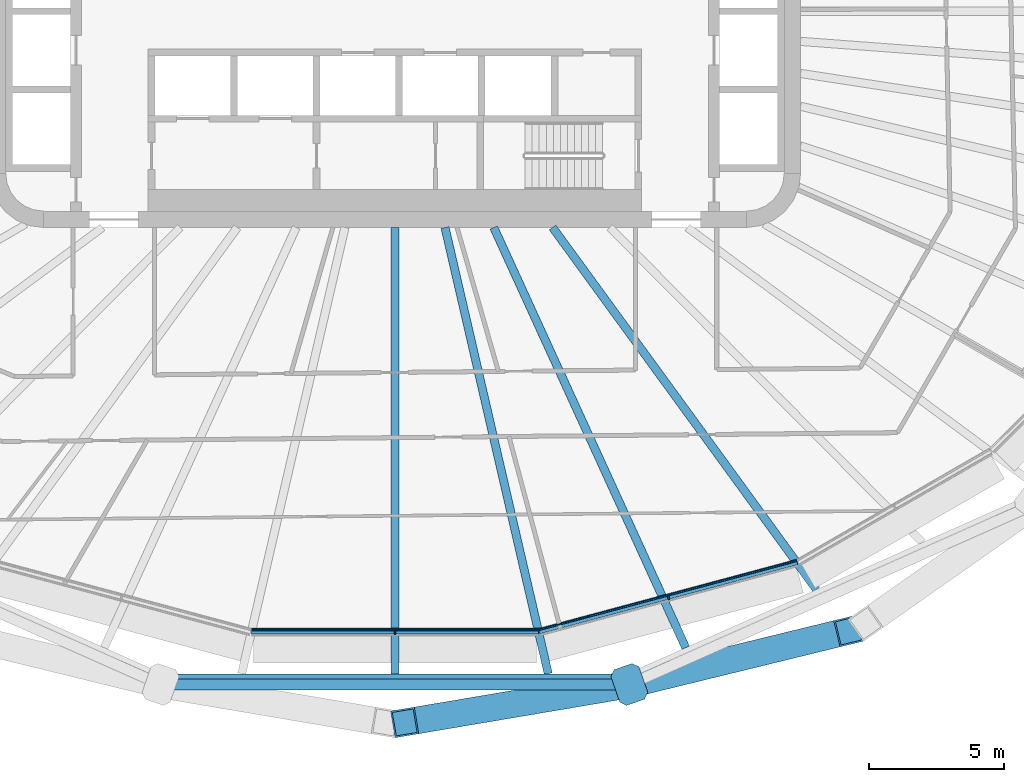
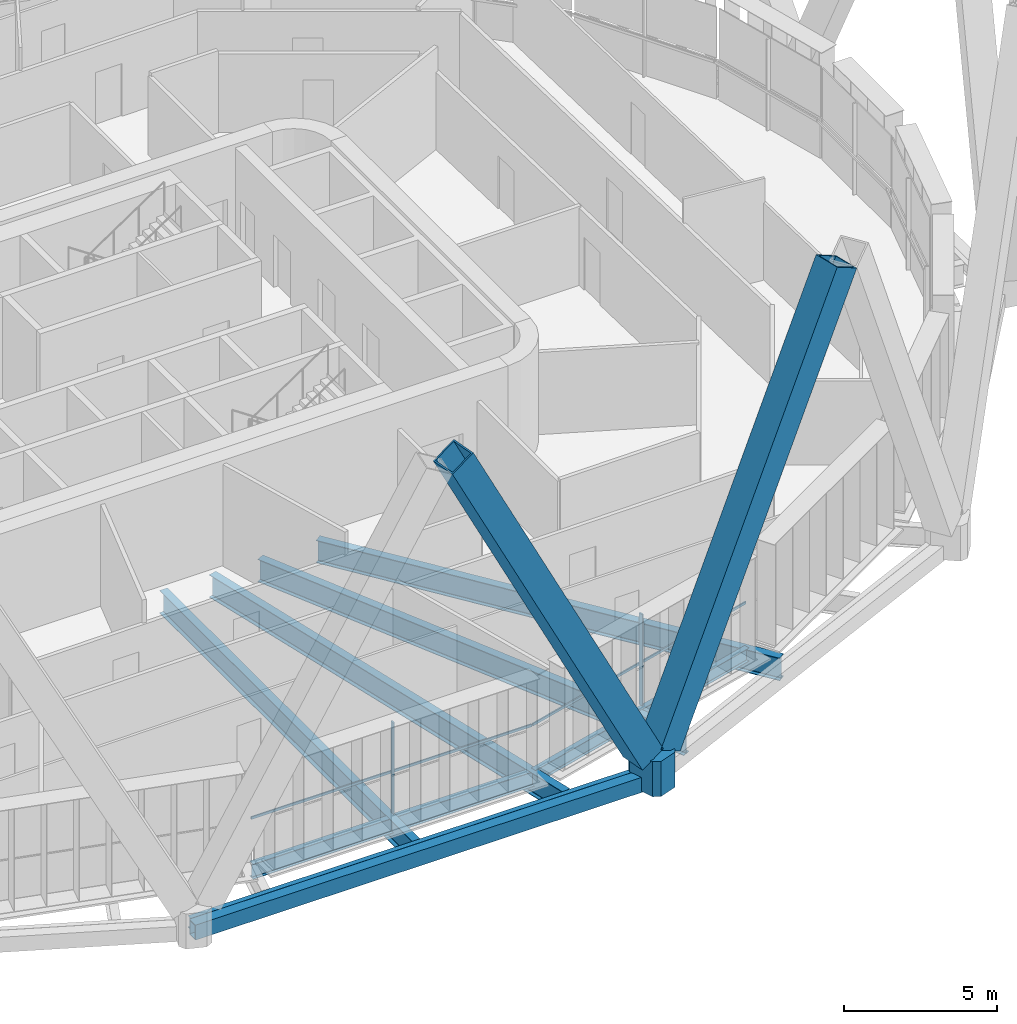
# One storey, part 4 of 25: 8 beams, 7 members, 2 elements without a shape of their own.
"""IFC4 building model written with IfcOpenShell, lengths in metres."""

import ifcopenshell
import ifcopenshell.guid

model = None  # the IFC model being written
_history = None  # IfcOwnerHistory: only IFC2X3 demands one
_inside = {}  # id of a spatial element -> (the spatial element, [elements in it])
_under = {}  # id of a project, library or spatial element -> (it, [spatial elements below it])
_declared = {}  # id of a project -> (the project, [libraries it declares])
_typed = {}  # id of a type object -> (the type object, [elements of that type])
_made_of = {}  # id of a material, layer set ... -> (it, [elements and type objects made of it])


def new_model(schema):
    """Start an empty IFC model of exactly this schema.

    Asked for "IFC4X3", IfcOpenShell would pick the latest addendum, in which some entities
    have other attributes; the version numbers below select the first issue.
    IFC2X3 requires an IfcOwnerHistory on every rooted entity: one is made here for all.
    """
    global model, _history
    if schema == "IFC4X3":
        model = ifcopenshell.file(schema_version=(4, 3, 0, 0))
    else:
        model = ifcopenshell.file(schema=schema)
    _inside.clear()
    _under.clear()
    _declared.clear()
    _typed.clear()
    _made_of.clear()
    _history = None
    if model.schema == "IFC2X3":
        org = make("IfcOrganization", Name="unknown")
        user = make(
            "IfcPersonAndOrganization",
            ThePerson=make("IfcPerson", FamilyName="unknown"),
            TheOrganization=org,
        )
        app = make(
            "IfcApplication",
            ApplicationDeveloper=org,
            Version="unknown",
            ApplicationFullName="unknown",
            ApplicationIdentifier="unknown",
        )
        _history = make(
            "IfcOwnerHistory",
            OwningUser=user,
            OwningApplication=app,
            ChangeAction="ADDED",
            CreationDate=0,
        )
    return model


def make(cls, **values):
    """One entity of the class cls with the attributes given. An attribute that is None is left unset."""
    return model.create_entity(
        cls, **{name: value for name, value in values.items() if value is not None}
    )


def rooted(cls, **values):
    """An entity with a GlobalId (a new one), such as an element, a storey or a relation."""
    return make(cls, GlobalId=ifcopenshell.guid.new(), OwnerHistory=_history, **values)


def si_unit(unit_type, name, prefix=None):
    """IfcSIUnit, for example si_unit("LENGTHUNIT", "METRE", prefix="MILLI")."""
    return make("IfcSIUnit", UnitType=unit_type, Prefix=prefix, Name=name)


def assignment(units):
    """IfcUnitAssignment: the units of a project."""
    return None if units is None else make("IfcUnitAssignment", Units=units)


def point(xyz):
    """IfcCartesianPoint."""
    return None if xyz is None else make("IfcCartesianPoint", Coordinates=xyz)


def direction(xyz):
    """IfcDirection."""
    return None if xyz is None else make("IfcDirection", DirectionRatios=xyz)


def frame(location, z_axis=None, x_axis=None):
    """IfcAxis2Placement3D, a coordinate frame: its origin and axes. An axis left out is left unset."""
    return make(
        "IfcAxis2Placement3D",
        Location=point(location),
        Axis=direction(z_axis),
        RefDirection=direction(x_axis),
    )


def frame_2d(location, x_axis=None):
    """IfcAxis2Placement2D, a coordinate frame in the plane: its origin and x axis."""
    return make(
        "IfcAxis2Placement2D", Location=point(location), RefDirection=direction(x_axis)
    )


def origin():
    """The frame at (0, 0, 0) with its axes left unset."""
    return frame((0.0, 0.0, 0.0))


def origin_2d():
    """The frame at (0, 0) in the plane with its x axis left unset."""
    return frame_2d((0.0, 0.0))


def place(relative_to, where):
    """IfcLocalPlacement: puts the frame where relative to a parent placement (None: the world)."""
    return make(
        "IfcLocalPlacement", PlacementRelTo=relative_to, RelativePlacement=where
    )


def context(
    kind, dimensions, precision=None, world=None, true_north=None, identifier=None
):
    """IfcGeometricRepresentationContext, for example the 3D "Model" context."""
    return make(
        "IfcGeometricRepresentationContext",
        ContextIdentifier=identifier,
        ContextType=kind,
        CoordinateSpaceDimension=dimensions,
        Precision=precision,
        WorldCoordinateSystem=world,
        TrueNorth=true_north,
    )


def subcontext(parent, identifier, kind, view, scale=None):
    """IfcGeometricRepresentationSubContext, for example "Body" below "Model"."""
    return make(
        "IfcGeometricRepresentationSubContext",
        ContextIdentifier=identifier,
        ContextType=kind,
        ParentContext=parent,
        TargetScale=scale,
        TargetView=view,
    )


def project(units=None, contexts=None):
    """IfcProject with its units and contexts."""
    return rooted(
        "IfcProject",
        Name="project",
        RepresentationContexts=contexts,
        UnitsInContext=assignment(units),
    )


def spatial(cls, under=None, at=None, **own):
    """A site, building, storey or space (cls), placed at a placement, below another one or the project."""
    s = rooted(cls, ObjectPlacement=at, **own)
    if under is not None:
        _under.setdefault(under.id(), (under, []))[1].append(s)
    return s


def polyline(points):
    """IfcPolyline through the points."""
    return make("IfcPolyline", Points=[point(p) for p in points])


def profile(cls, at=None, kind="AREA", **sizes):
    """A parametric profile (cls). Its sizes go by their IFC names, for example OverallWidth=200.0."""
    return make(cls, ProfileType=kind, Position=at, **sizes)


def rectangle(**sizes):
    """IfcRectangleProfileDef."""
    return profile("IfcRectangleProfileDef", **sizes)


def hollow_rectangle(**sizes):
    """IfcRectangleHollowProfileDef."""
    return profile("IfcRectangleHollowProfileDef", **sizes)


def i_section(**sizes):
    """IfcIShapeProfileDef."""
    return profile("IfcIShapeProfileDef", **sizes)


def outline(outer, holes=None, kind="AREA"):
    """IfcArbitraryClosedProfileDef: a profile drawn as a closed curve; with holes, ...WithVoids."""
    if holes is None:
        return make("IfcArbitraryClosedProfileDef", ProfileType=kind, OuterCurve=outer)
    return make(
        "IfcArbitraryProfileDefWithVoids",
        ProfileType=kind,
        OuterCurve=outer,
        InnerCurves=holes,
    )


def extrude(swept, where, along, depth):
    """IfcExtrudedAreaSolid: the profile swept, set in the frame where, extruded along a direction by depth."""
    return make(
        "IfcExtrudedAreaSolid",
        SweptArea=swept,
        Position=where,
        ExtrudedDirection=direction(along),
        Depth=depth,
    )


def shape(context_of_items, identifier, shape_type, items):
    """IfcShapeRepresentation: the items that make up one representation, for example the "Body"."""
    return make(
        "IfcShapeRepresentation",
        ContextOfItems=context_of_items,
        RepresentationIdentifier=identifier,
        RepresentationType=shape_type,
        Items=items,
    )


def material(Name=None, Category=None):
    """IfcMaterial."""
    return make("IfcMaterial", Name=Name, Category=Category)


def layer(
    of_material, thickness, ventilated=None, Name=None, Category=None, Priority=None
):
    """IfcMaterialLayer: one layer of a wall or slab, of a material (None: an air gap)."""
    return make(
        "IfcMaterialLayer",
        Material=of_material,
        LayerThickness=thickness,
        IsVentilated=ventilated,
        Name=Name,
        Category=Category,
        Priority=Priority,
    )


def layer_set(layers, Name=None):
    """IfcMaterialLayerSet."""
    return make("IfcMaterialLayerSet", MaterialLayers=layers, LayerSetName=Name)


def material_profile(
    of_material, cross_section, Name=None, Category=None, Priority=None
):
    """IfcMaterialProfile: a cross section and its material."""
    return make(
        "IfcMaterialProfile",
        Name=Name,
        Material=of_material,
        Profile=cross_section,
        Priority=Priority,
        Category=Category,
    )


def profile_set(profiles, Name=None, composite=None):
    """IfcMaterialProfileSet."""
    return make(
        "IfcMaterialProfileSet",
        Name=Name,
        MaterialProfiles=profiles,
        CompositeProfile=composite,
    )


def made_of(thing, what):
    """Note that an element or type object is made of a material, layer set ...; save() writes the relation."""
    if what is not None:
        _made_of.setdefault(what.id(), (what, []))[1].append(thing)
    return thing


def type_object(cls, material=None, **own):
    """A type object (cls), such as IfcWallType, which elements share."""
    return made_of(rooted(cls, **own), material)


def element(
    cls,
    number,
    at=None,
    inside=None,
    cuts=None,
    type_object=None,
    material=None,
    context=None,
    identifier="Body",
    shape_type=None,
    held_by="IfcProductDefinitionShape",
    body=None,
    shapes=None,
    **own,
):
    """One element of the class cls, such as IfcWall. Its Tag is "e" and its number.

    at: its placement. inside: the storey or other place that contains it. cuts: it is an
    opening in that element (IfcRelVoidsElement). A single representation is given by context,
    identifier, shape_type and body (its items); several are given by shapes. held_by: the class
    of the entity that holds the representations. save() writes the other relations.
    """
    e = rooted(cls, Tag="e%d" % number, ObjectPlacement=at, **own)
    if body is not None:
        shapes = [shape(context, identifier, shape_type, body)]
    if shapes is not None:
        e.Representation = make(held_by, Representations=shapes)
    if inside is not None:
        _inside.setdefault(inside.id(), (inside, []))[1].append(e)
    if cuts is not None:
        rooted(
            "IfcRelVoidsElement", RelatingBuildingElement=cuts, RelatedOpeningElement=e
        )
    if type_object is not None:
        _typed.setdefault(type_object.id(), (type_object, []))[1].append(e)
    return made_of(e, material)


def aggregate(whole, parts):
    """IfcRelAggregates: a whole, such as a stair, and the parts it consists of."""
    return rooted("IfcRelAggregates", RelatingObject=whole, RelatedObjects=parts)


def save(model, path):
    """Write the relations noted so far, then the file.

    IfcRelAggregates (storeys below a building ...), IfcRelContainedInSpatialStructure (elements
    in a storey), IfcRelDefinesByType, IfcRelAssociatesMaterial and IfcRelDeclares: one each for
    every whole, place, type object, material and project.
    """
    for whole, parts in _under.values():
        aggregate(whole, parts)
    for where, things in _inside.values():
        rooted(
            "IfcRelContainedInSpatialStructure",
            RelatedElements=things,
            RelatingStructure=where,
        )
    for kind, things in _typed.values():
        rooted("IfcRelDefinesByType", RelatedObjects=things, RelatingType=kind)
    for what, things in _made_of.values():
        rooted("IfcRelAssociatesMaterial", RelatedObjects=things, RelatingMaterial=what)
    for by, libraries in _declared.values():
        rooted("IfcRelDeclares", RelatingContext=by, RelatedDefinitions=libraries)
    model.write(path)


model = new_model("IFC4")

# Units and contexts
model_context = context("Model", 3, precision=1e-05, world=origin(), true_north=direction((0.0, 1.0)))
body_context = subcontext(model_context, "Body", "Model", "MODEL_VIEW")
ifc_project = project(units=[si_unit("LENGTHUNIT", "METRE"), si_unit("AREAUNIT", "SQUARE_METRE"), si_unit("VOLUMEUNIT", "CUBIC_METRE"), si_unit("PLANEANGLEUNIT", "RADIAN"), si_unit("MASSUNIT", "GRAM", prefix="KILO")], contexts=[model_context])

# Site, building, storey
site_placement = place(None, origin())
site = spatial("IfcSite", under=ifc_project, at=site_placement, CompositionType="ELEMENT")
building_placement = place(site_placement, origin())
building = spatial("IfcBuilding", under=site, at=building_placement, Name="Sahrelin Media Tower", CompositionType="ELEMENT")
storey_placement = place(building_placement, frame((0.0, 0.0, 63.0)))
storey = spatial("IfcBuildingStorey", under=building, at=storey_placement, Name="L10", CompositionType="ELEMENT", Elevation=63.0)

# Members
ifc_material_1 = material(Name="Steel S460", Category="steel")
ifc_material_profile_1 = material_profile(ifc_material_1, hollow_rectangle(XDim=1.0, YDim=1.0, WallThickness=0.06005859375, at=origin_2d()), Name="Diagrid diagonal DG1")
ifc_profile_set_1 = profile_set([ifc_material_profile_1], Name="Steel S460")
member_type_1 = type_object("IfcMemberType", Name="Diagrid diagonal DG1", PredefinedType="BRACE", material=ifc_profile_set_1)
member_1_placement = place(storey_placement, frame((8.306640625, -24.960205078125, 0.699951171875), z_axis=(-0.457140164592, -0.077255212944, 0.886033014052), x_axis=(0.166633999123, -0.986018818449, 0.0)))
element("IfcMember", 1, at=member_1_placement, inside=storey, type_object=member_type_1, Name="Diagrid diagonal D01-18", PredefinedType="BRACE", context=body_context, shape_type="SweptSolid", body=[
    extrude(hollow_rectangle(XDim=1.0, YDim=1.0, WallThickness=0.06005859375, at=origin_2d()), origin(), (0.0, 0.0, 1.0), 17.381103515625),
])
member_2_placement = place(storey_placement, frame((9.020263671875, -24.81298828125, 0.699951171875), z_axis=(0.447007252146, 0.109235910573, 0.887835588592), x_axis=(-0.237386385551, 0.971415309718, 0.0)))
element("IfcMember", 2, at=member_2_placement, inside=storey, type_object=member_type_1, Name="Diagrid diagonal D01-19", PredefinedType="BRACE", context=body_context, shape_type="SweptSolid", body=[
    extrude(hollow_rectangle(XDim=1.0, YDim=1.0, WallThickness=0.06005859375, at=origin_2d()), origin(), (0.0, 0.0, 1.0), 17.345703125),
])
ifc_material_profile_2 = material_profile(ifc_material_1, outline(polyline([(0.5, -0.550048828125), (0.699951171875, -0.35009765625), (0.699951171875, 0.35009765625), (0.5, 0.550048828125), (-0.5, 0.550048828125), (-0.699951171875, 0.35009765625), (-0.699951171875, -0.35009765625), (-0.5, -0.550048828125), (0.5, -0.550048828125)])), Name="Diagrid node block 1400")
ifc_profile_set_2 = profile_set([ifc_material_profile_2], Name="Steel S460")
member_type_2 = type_object("IfcMemberType", Name="Diagrid node block 1400", PredefinedType="USERDEFINED", material=ifc_profile_set_2)
member_3_placement = place(storey_placement, frame((8.66796875, -24.899169921875, -0.699951171875), z_axis=(0.0, 0.0, 1.0), x_axis=(0.328769398381, -0.944410230085, 0.0)))
element("IfcMember", 3, at=member_3_placement, inside=storey, type_object=member_type_2, Name="Diagrid node N01-09", ObjectType="NODE", PredefinedType="USERDEFINED", context=body_context, shape_type="SweptSolid", body=[
    extrude(outline(polyline([(0.5, -0.550048828125), (0.699951171875, -0.35009765625), (0.699951171875, 0.35009765625), (0.5, 0.550048828125), (-0.5, 0.550048828125), (-0.699951171875, 0.35009765625), (-0.699951171875, -0.35009765625), (-0.5, -0.550048828125), (0.5, -0.550048828125)])), origin(), (0.0, 0.0, 1.0), 1.39990234375),
])

# Beams
ifc_material_profile_3 = material_profile(ifc_material_1, hollow_rectangle(XDim=0.39990234375, YDim=0.60009765625, WallThickness=0.030029296875, at=origin_2d()), Name="Diagrid ring beam RB1")
ifc_profile_set_3 = profile_set([ifc_material_profile_3], Name="Steel S460")
beam_type_1 = type_object("IfcBeamType", Name="Diagrid ring beam RB1", PredefinedType="BEAM", material=ifc_profile_set_3)
beam_1_placement = place(storey_placement, frame((-8.66796875, -24.899169921875, -0.449951171875), z_axis=(1.0, 0.0, 0.0), x_axis=(0.0, 1.0, 0.0)))
element("IfcBeam", 4, at=beam_1_placement, inside=storey, type_object=beam_type_1, Name="Diagrid ring beam RB01-08", PredefinedType="BEAM", context=body_context, shape_type="SweptSolid", body=[
    extrude(hollow_rectangle(XDim=0.39990234375, YDim=0.60009765625, WallThickness=0.030029296875, at=origin_2d()), origin(), (0.0, 0.0, 1.0), 17.3359375),
])
ifc_material_2 = material(Name="Steel S355", Category="steel")
ifc_material_profile_4 = material_profile(ifc_material_2, i_section(OverallWidth=0.208740234375, OverallDepth=0.5283203125, WebThickness=0.009521484375, FlangeThickness=0.01318359375, FilletRadius=0.0126953125, at=origin_2d()), Name="UB 533x210x82")
ifc_profile_set_4 = profile_set([ifc_material_profile_4], Name="Steel S355")
beam_type_2 = type_object("IfcBeamType", Name="Edge beam EB6", PredefinedType="BEAM", material=ifc_profile_set_4)
beam_2_placement = place(storey_placement, frame((14.86865234375, -20.368408203125, -0.4140625), z_axis=(-0.965924759849, -0.258823025079, 0.0), x_axis=(0.258823025079, -0.965924759849, 0.0)))
element("IfcBeam", 5, at=beam_2_placement, inside=storey, type_object=beam_type_2, Name="Edge beam L10-06", PredefinedType="BEAM", context=body_context, shape_type="SweptSolid", body=[
    extrude(i_section(OverallWidth=0.208740234375, OverallDepth=0.5283203125, WebThickness=0.009521484375, FlangeThickness=0.01318359375, FilletRadius=0.0126953125, at=origin_2d()), origin(), (0.0, 0.0, 1.0), 9.872314453125),
])
ifc_material_profile_5 = material_profile(ifc_material_2, i_section(OverallWidth=0.2275390625, OverallDepth=0.6025390625, WebThickness=0.010498046875, FlangeThickness=0.014892578125, FilletRadius=0.0126953125, at=origin_2d()), Name="UB 610x229x101")
ifc_profile_set_5 = profile_set([ifc_material_profile_5], Name="Steel S355")
beam_type_3 = type_object("IfcBeamType", Name="Edge beam EB7", PredefinedType="BEAM", material=ifc_profile_set_5)
beam_3_placement = place(storey_placement, frame((5.30419921875, -22.927490234375, -0.451416015625), z_axis=(-1.0, 0.0, 0.0), x_axis=(0.0, -1.0, 0.0)))
element("IfcBeam", 6, at=beam_3_placement, inside=storey, type_object=beam_type_3, Name="Edge beam L10-07", PredefinedType="BEAM", context=body_context, shape_type="SweptSolid", body=[
    extrude(i_section(OverallWidth=0.2275390625, OverallDepth=0.6025390625, WebThickness=0.010498046875, FlangeThickness=0.014892578125, FilletRadius=0.0126953125, at=origin_2d()), origin(), (0.0, 0.0, 1.0), 10.6083984375),
])

# Curtain wall, member
ifc_material_3 = material(Name="Champagne anodised aluminium 6063-T6", Category="aluminium")
ifc_layer = layer(ifc_material_3, 0.14990234375)
ifc_layer_set = layer_set([ifc_layer], Name="Tower ribbon curtain wall")
curtain_wall_type = type_object("IfcCurtainWallType", Name="Tower ribbon curtain wall", PredefinedType="NOTDEFINED", material=ifc_layer_set)
curtain_wall_1_placement = place(storey_placement, frame((0.0, -23.077392578125, 0.0), z_axis=(0.0, 0.0, 1.0), x_axis=(1.0, 0.0, 0.0)))
curtain_wall_1 = element("IfcCurtainWall", 7, at=curtain_wall_1_placement, inside=storey, type_object=curtain_wall_type, Name="L10:CW:L10-18", PredefinedType="NOTDEFINED")
ifc_material_profile_6 = material_profile(ifc_material_3, rectangle(XDim=0.06005859375, YDim=0.14990234375, at=origin_2d()), Name="Mullion 60x150")
ifc_profile_set_6 = profile_set([ifc_material_profile_6], Name="Champagne anodised aluminium 6063-T6")
member_type_3 = type_object("IfcMemberType", Name="Mullion 60x150 CW1", PredefinedType="MULLION", material=ifc_profile_set_6)
member_4_placement = place(storey_placement, frame((0.0, -22.982421875, 0.0), z_axis=(0.0, 0.0, 1.0), x_axis=(1.0, 0.0, 0.0)))
member_4 = element("IfcMember", 8, at=member_4_placement, type_object=member_type_3, Name="L10:CWM:L10-18", PredefinedType="MULLION", context=body_context, shape_type="SweptSolid", body=[
    extrude(rectangle(XDim=0.06005859375, YDim=0.14990234375, at=origin_2d()), origin(), (0.0, 0.0, 1.0), 3.648681640625),
])

curtain_wall_2_placement = place(storey_placement, frame((10.139404296875, -21.791015625, 0.0), z_axis=(0.0, 0.0, 1.0), x_axis=(1.0, 0.0, 0.0)))
curtain_wall_2 = element("IfcCurtainWall", 9, at=curtain_wall_2_placement, inside=storey, type_object=curtain_wall_type, Name="L10:CW:L10-19", PredefinedType="NOTDEFINED")
member_5_placement = place(storey_placement, frame((10.114990234375, -21.69921875, 0.0), z_axis=(0.0, 0.0, 1.0), x_axis=(0.965925374563, 0.258820730961, 0.0)))
member_5 = element("IfcMember", 10, at=member_5_placement, type_object=member_type_3, Name="L10:CWM:L10-19", PredefinedType="MULLION", context=body_context, shape_type="SweptSolid", body=[
    extrude(rectangle(XDim=0.06005859375, YDim=0.14990234375, at=origin_2d()), origin(), (0.0, 0.0, 1.0), 3.648681640625),
])

# Beams
ifc_material_profile_7 = material_profile(ifc_material_2, i_section(OverallWidth=0.30322265625, OverallDepth=0.903076171875, WebThickness=0.01513671875, FlangeThickness=0.020263671875, FilletRadius=0.01904296875, at=origin_2d()), Name="UB 914x305x201")
ifc_profile_set_7 = profile_set([ifc_material_profile_7], Name="Steel S355")
beam_type_4 = type_object("IfcBeamType", Name="Radial primary beam PB11", PredefinedType="BEAM", material=ifc_profile_set_7)
beam_4_placement = place(storey_placement, frame((1.8505859375, -8.0, -0.6015625), z_axis=(0.225368935068, -0.974273495024, 0.0), x_axis=(0.974273495024, 0.225368935068, 0.0)))
element("IfcBeam", 11, at=beam_4_placement, inside=storey, type_object=beam_type_4, Name="Radial beam L10-19", PredefinedType="BEAM", context=body_context, shape_type="SweptSolid", body=[
    extrude(i_section(OverallWidth=0.30322265625, OverallDepth=0.903076171875, WebThickness=0.01513671875, FlangeThickness=0.020263671875, FilletRadius=0.01904296875, at=origin_2d()), origin(), (0.0, 0.0, 1.0), 16.939453125),
])
beam_5_placement = place(storey_placement, frame((5.8291015625, -8.0, -0.6015625), z_axis=(0.588900368417, -0.808205639722, 0.0), x_axis=(0.808205639722, 0.588900368417, 0.0)))
element("IfcBeam", 12, at=beam_5_placement, inside=storey, type_object=beam_type_4, Name="Radial beam L10-20", PredefinedType="BEAM", context=body_context, shape_type="SweptSolid", body=[
    extrude(i_section(OverallWidth=0.30322265625, OverallDepth=0.903076171875, WebThickness=0.01513671875, FlangeThickness=0.020263671875, FilletRadius=0.01904296875, at=origin_2d()), origin(), (0.0, 0.0, 1.0), 16.569580078125),
])
ifc_material_profile_8 = material_profile(ifc_material_2, i_section(OverallWidth=0.30322265625, OverallDepth=0.903076171875, WebThickness=0.01513671875, FlangeThickness=0.020263671875, FilletRadius=0.01904296875, at=origin_2d()), Name="UB 914x305x201")
ifc_profile_set_8 = profile_set([ifc_material_profile_8], Name="Steel S355")
beam_type_5 = type_object("IfcBeamType", Name="Radial secondary beam SB11", PredefinedType="BEAM", material=ifc_profile_set_8)
beam_6_placement = place(storey_placement, frame((0.0, -8.0, -0.6015625), z_axis=(0.0, -1.0, 0.0), x_axis=(1.0, 0.0, 0.0)))
element("IfcBeam", 13, at=beam_6_placement, inside=storey, type_object=beam_type_5, Name="Secondary beam L10-18", PredefinedType="BEAM", context=body_context, shape_type="SweptSolid", body=[
    extrude(i_section(OverallWidth=0.30322265625, OverallDepth=0.903076171875, WebThickness=0.01513671875, FlangeThickness=0.020263671875, FilletRadius=0.01904296875, at=origin_2d()), origin(), (0.0, 0.0, 1.0), 16.503662109375),
])
beam_7_placement = place(storey_placement, frame((3.654541015625, -8.0, -0.6015625), z_axis=(0.415516252261, -0.909585754125, 0.0), x_axis=(0.909585754125, 0.415516252261, 0.0)))
element("IfcBeam", 14, at=beam_7_placement, inside=storey, type_object=beam_type_5, Name="Secondary beam L10-19", PredefinedType="BEAM", context=body_context, shape_type="SweptSolid", body=[
    extrude(i_section(OverallWidth=0.30322265625, OverallDepth=0.903076171875, WebThickness=0.01513671875, FlangeThickness=0.020263671875, FilletRadius=0.01904296875, at=origin_2d()), origin(), (0.0, 0.0, 1.0), 17.08447265625),
])
ifc_material_profile_9 = material_profile(ifc_material_2, i_section(OverallWidth=0.1904296875, OverallDepth=0.45703125, WebThickness=0.009033203125, FlangeThickness=0.014404296875, FilletRadius=0.01025390625, at=origin_2d()), Name="UB 457x191x74")
ifc_profile_set_9 = profile_set([ifc_material_profile_9], Name="Steel S355")
beam_type_6 = type_object("IfcBeamType", Name="Tie chord TC5", PredefinedType="BEAM", material=ifc_profile_set_9)
beam_8_placement = place(storey_placement, frame((8.604248046875, -24.598876953125, -0.37841796875), z_axis=(-1.0, 0.0, 0.0), x_axis=(0.0, -1.0, 0.0)))
element("IfcBeam", 15, at=beam_8_placement, inside=storey, type_object=beam_type_6, Name="Tie chord L10-04", PredefinedType="BEAM", context=body_context, shape_type="SweptSolid", body=[
    extrude(i_section(OverallWidth=0.1904296875, OverallDepth=0.45703125, WebThickness=0.009033203125, FlangeThickness=0.014404296875, FilletRadius=0.01025390625, at=origin_2d()), origin(), (0.0, 0.0, 1.0), 17.20849609375),
])

# Member
ifc_material_profile_10 = material_profile(ifc_material_3, rectangle(XDim=0.050048828125, YDim=0.10009765625, at=origin_2d()), Name="Transom 50x100")
ifc_profile_set_10 = profile_set([ifc_material_profile_10], Name="Champagne anodised aluminium 6063-T6")
member_type_4 = type_object("IfcMemberType", Name="Transom 50x100 CW1", PredefinedType="USERDEFINED", material=ifc_profile_set_10)
member_6_placement = place(storey_placement, frame((-5.288330078125, -22.88232421875, 1.60009765625), z_axis=(1.0, 0.0, 0.0), x_axis=(0.0, 1.0, 0.0)))
member_6 = element("IfcMember", 16, at=member_6_placement, type_object=member_type_4, Name="L10:CWT:L10-18", ObjectType="TRANSOM", PredefinedType="USERDEFINED", context=body_context, shape_type="SweptSolid", body=[
    extrude(rectangle(XDim=0.050048828125, YDim=0.10009765625, at=origin_2d()), origin(), (0.0, 0.0, 1.0), 10.57666015625),
])

aggregate(curtain_wall_1, [member_4, member_6])

member_7_placement = place(storey_placement, frame((5.336181640625, -22.876220703125, 1.60009765625), z_axis=(0.965923356593, 0.258828261958, 0.0), x_axis=(-0.258828261958, 0.965923356593, 0.0)))
member_7 = element("IfcMember", 17, at=member_7_placement, type_object=member_type_4, Name="L10:CWT:L10-19", ObjectType="TRANSOM", PredefinedType="USERDEFINED", context=body_context, shape_type="SweptSolid", body=[
    extrude(rectangle(XDim=0.050048828125, YDim=0.10009765625, at=origin_2d()), origin(), (0.0, 0.0, 1.0), 9.841064453125),
])

aggregate(curtain_wall_2, [member_5, member_7])

save(model, "model.ifc")
